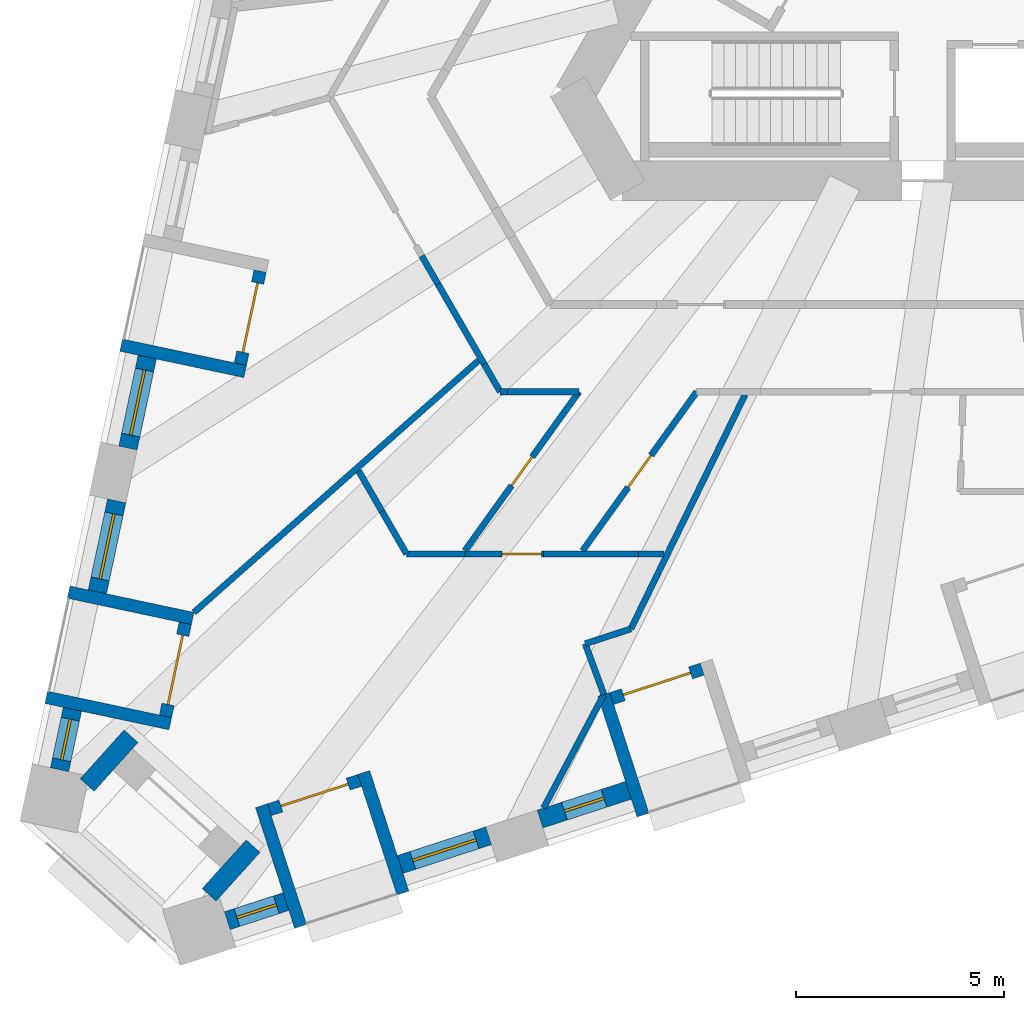
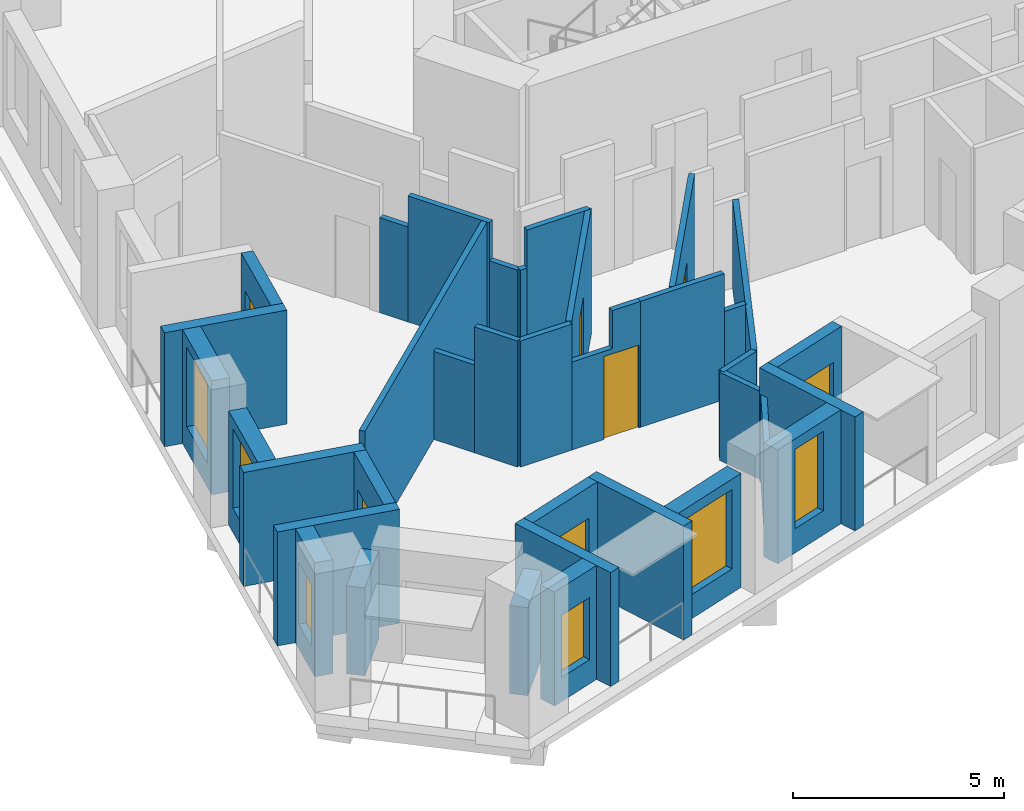
# One storey, part 2 of 13: 36 walls, 7 doors, 6 windows, 13 openings.
"""IFC4 building model written with IfcOpenShell, lengths in metres."""

from ifc_helpers import new_model, si_unit, direction, frame, frame_2d, origin, place, context, subcontext, project, spatial, polyline, rectangle, outline, extrude, material, layer, layer_set, type_object, element, fill, save


model = new_model("IFC4")

# Units and contexts
model_context = context("Model", 3, precision=1e-05, world=origin(), true_north=direction((0.0, 1.0)))
body_context = subcontext(model_context, "Body", "Model", "MODEL_VIEW")
ifc_project = project(units=[si_unit("LENGTHUNIT", "METRE"), si_unit("AREAUNIT", "SQUARE_METRE"), si_unit("VOLUMEUNIT", "CUBIC_METRE"), si_unit("PLANEANGLEUNIT", "RADIAN"), si_unit("MASSUNIT", "GRAM", prefix="KILO")], contexts=[model_context])

# Site, building, storey
site_placement = place(None, origin())
site = spatial("IfcSite", under=ifc_project, at=site_placement, CompositionType="ELEMENT")
building_placement = place(site_placement, origin())
building = spatial("IfcBuilding", under=site, at=building_placement, Name="Tramontana Tower", CompositionType="ELEMENT")
storey_placement = place(building_placement, frame((0.0, 0.0, 104.39990234375)))
storey = spatial("IfcBuildingStorey", under=building, at=storey_placement, Name="L23", CompositionType="ELEMENT", Elevation=104.39990234375)

# Wall, opening, window
ifc_material_1 = material(Name="Precast concrete 60 MPa", Category="concrete")
ifc_layer_1 = layer(ifc_material_1, 0.449951171875)
ifc_layer_set_1 = layer_set([ifc_layer_1], Name="Precast concrete 60 MPa, 450 mm")
wall_type_1 = type_object("IfcWallType", Name="EW1 Stone-faced precast wall 450", PredefinedType="SOLIDWALL", material=ifc_layer_set_1)
wall_1_placement = place(storey_placement, frame((-19.947265625, -10.516357421875, 0.0), z_axis=(0.0, 0.0, 1.0), x_axis=(-0.207941001029, -0.978141370197, 0.0)))
wall_1 = element("IfcWall", 1, at=wall_1_placement, inside=storey, type_object=wall_type_1, Name="External wall L23 face 0 bay 5", PredefinedType="SOLIDWALL", context=body_context, shape_type="SweptSolid", body=[
    extrude(rectangle(XDim=2.236572265625, YDim=0.449951171875, at=frame_2d((1.1181640625, 0.0))), origin(), (0.0, 0.0, 1.0), 3.300048828125),
])
opening_1_placement = place(wall_1_placement, frame((0.318359375, 0.0, 0.699951171875)))
opening_1 = element("IfcOpeningElement", 2, at=opening_1_placement, cuts=wall_1, Name="Opening M1", PredefinedType="OPENING", context=body_context, shape_type="SweptSolid", body=[
    extrude(rectangle(XDim=1.60009765625, YDim=2.300048828125, at=frame_2d((0.800048828125, 1.14990234375))), frame((0.0, 0.23486328125, 0.0), z_axis=(0.0, -1.0, 0.0), x_axis=(1.0, 0.0, 0.0)), (0.0, 0.0, 1.0), 0.469970703125),
])
ifc_material_2 = material(Name="Aluminum frame, double glazing unit", Category="aluminium")
window_type_1 = type_object("IfcWindowType", Name="M1 Window 1.6 x 2.3", PartitioningType="SINGLE_PANEL", PredefinedType="WINDOW", material=ifc_material_2)
window_1_placement = place(opening_1_placement, origin())
window_1 = element("IfcWindow", 3, at=window_1_placement, inside=storey, type_object=window_type_1, Name="Window M1 L23 face 0 module 15", OverallHeight=2.300048828125, OverallWidth=1.60009765625, PartitioningType="SINGLE_PANEL", PredefinedType="WINDOW", context=body_context, shape_type="SweptSolid", body=[
    extrude(rectangle(XDim=1.60009765625, YDim=2.300048828125, at=frame_2d((0.800048828125, 1.14990234375))), frame((0.0, 0.030029296875, 0.0), z_axis=(0.0, -1.0, 0.0), x_axis=(1.0, 0.0, 0.0)), (0.0, 0.0, 1.0), 0.06005859375),
])
fill(opening_1, window_1)

wall_2_placement = place(storey_placement, frame((-20.6826171875, -13.975830078125, 0.0), z_axis=(0.0, 0.0, 1.0), x_axis=(-0.207941001029, -0.978141370197, 0.0)))
wall_2 = element("IfcWall", 4, at=wall_2_placement, inside=storey, type_object=wall_type_1, Name="External wall L23 face 0 bay 6", PredefinedType="SOLIDWALL", context=body_context, shape_type="SweptSolid", body=[
    extrude(rectangle(XDim=2.236572265625, YDim=0.449951171875, at=frame_2d((1.1181640625, 0.0))), origin(), (0.0, 0.0, 1.0), 3.300048828125),
])
opening_2_placement = place(wall_2_placement, frame((0.318359375, 0.0, 0.699951171875)))
opening_2 = element("IfcOpeningElement", 5, at=opening_2_placement, cuts=wall_2, Name="Opening M1", PredefinedType="OPENING", context=body_context, shape_type="SweptSolid", body=[
    extrude(rectangle(XDim=1.60009765625, YDim=2.300048828125, at=frame_2d((0.800048828125, 1.14990234375))), frame((0.0, 0.23486328125, 0.0), z_axis=(0.0, -1.0, 0.0), x_axis=(1.0, 0.0, 0.0)), (0.0, 0.0, 1.0), 0.469970703125),
])
window_2_placement = place(opening_2_placement, origin())
window_2 = element("IfcWindow", 6, at=window_2_placement, inside=storey, type_object=window_type_1, Name="Window M1 L23 face 0 module 16", OverallHeight=2.300048828125, OverallWidth=1.60009765625, PartitioningType="SINGLE_PANEL", PredefinedType="WINDOW", context=body_context, shape_type="SweptSolid", body=[
    extrude(rectangle(XDim=1.60009765625, YDim=2.300048828125, at=frame_2d((0.800048828125, 1.14990234375))), frame((0.0, 0.030029296875, 0.0), z_axis=(0.0, -1.0, 0.0), x_axis=(1.0, 0.0, 0.0)), (0.0, 0.0, 1.0), 0.06005859375),
])
fill(opening_2, window_2)

wall_3_placement = place(storey_placement, frame((-21.747802734375, -18.9873046875, 0.0), z_axis=(0.0, 0.0, 1.0), x_axis=(-0.208037456693, -0.978120859921, 0.0)))
wall_3 = element("IfcWall", 7, at=wall_3_placement, inside=storey, type_object=wall_type_1, Name="External wall L23 face 0 bay 6", PredefinedType="SOLIDWALL", context=body_context, shape_type="SweptSolid", body=[
    extrude(rectangle(XDim=1.48681640625, YDim=0.449951171875, at=frame_2d((0.743408203125, 0.0))), origin(), (0.0, 0.0, 1.0), 3.300048828125),
])
opening_3_placement = place(wall_3_placement, frame((0.243408203125, 0.0, 0.699951171875)))
opening_3 = element("IfcOpeningElement", 8, at=opening_3_placement, cuts=wall_3, Name="Opening N1L", PredefinedType="OPENING", context=body_context, shape_type="SweptSolid", body=[
    extrude(rectangle(XDim=1.0, YDim=1.800048828125, at=frame_2d((0.5, 0.89990234375))), frame((0.0, 0.23486328125, 0.0), z_axis=(0.0, -1.0, 0.0), x_axis=(1.0, 0.0, 0.0)), (0.0, 0.0, 1.0), 0.469970703125),
])
ifc_material_3 = material(Name="Aluminum frame, double glazing unit", Category="aluminium")
window_type_2 = type_object("IfcWindowType", Name="N1L Window 1 x 1.8", PartitioningType="SINGLE_PANEL", PredefinedType="WINDOW", material=ifc_material_3)
window_3_placement = place(opening_3_placement, origin())
window_3 = element("IfcWindow", 9, at=window_3_placement, inside=storey, type_object=window_type_2, Name="Window N1L L23 face 0 module 18", OverallHeight=1.800048828125, OverallWidth=1.0, PartitioningType="SINGLE_PANEL", PredefinedType="WINDOW", context=body_context, shape_type="SweptSolid", body=[
    extrude(rectangle(XDim=1.0, YDim=1.800048828125, at=frame_2d((0.5, 0.89990234375))), frame((0.0, 0.030029296875, 0.0), z_axis=(0.0, -1.0, 0.0), x_axis=(1.0, 0.0, 0.0)), (0.0, 0.0, 1.0), 0.06005859375),
])
fill(opening_3, window_3)

wall_4_placement = place(storey_placement, frame((-18.02392578125, -24.072998046875, 0.0), z_axis=(0.0, 0.0, 1.0), x_axis=(0.951037689269, 0.309074931999, 0.0)))
wall_4 = element("IfcWall", 10, at=wall_4_placement, inside=storey, type_object=wall_type_1, Name="External wall L23 face 1 bay 1", PredefinedType="SOLIDWALL", context=body_context, shape_type="SweptSolid", body=[
    extrude(rectangle(XDim=1.486572265625, YDim=0.449951171875, at=frame_2d((0.7431640625, 0.0))), origin(), (0.0, 0.0, 1.0), 3.300048828125),
])
opening_4_placement = place(wall_4_placement, frame((0.243408203125, 0.0, 0.699951171875)))
opening_4 = element("IfcOpeningElement", 11, at=opening_4_placement, cuts=wall_4, Name="Opening N1L", PredefinedType="OPENING", context=body_context, shape_type="SweptSolid", body=[
    extrude(rectangle(XDim=1.0, YDim=1.800048828125, at=frame_2d((0.5, 0.89990234375))), frame((0.0, 0.23486328125, 0.0), z_axis=(0.0, -1.0, 0.0), x_axis=(1.0, 0.0, 0.0)), (0.0, 0.0, 1.0), 0.469970703125),
])
window_4_placement = place(opening_4_placement, origin())
window_4 = element("IfcWindow", 12, at=window_4_placement, inside=storey, type_object=window_type_2, Name="Window N1L L23 face 1 module 1", OverallHeight=1.800048828125, OverallWidth=1.0, PartitioningType="SINGLE_PANEL", PredefinedType="WINDOW", context=body_context, shape_type="SweptSolid", body=[
    extrude(rectangle(XDim=1.0, YDim=1.800048828125, at=frame_2d((0.5, 0.89990234375))), frame((0.0, 0.030029296875, 0.0), z_axis=(0.0, -1.0, 0.0), x_axis=(1.0, 0.0, 0.0)), (0.0, 0.0, 1.0), 0.06005859375),
])
fill(opening_4, window_4)

wall_5_placement = place(storey_placement, frame((-13.864501953125, -22.721435546875, 0.0), z_axis=(0.0, 0.0, 1.0), x_axis=(0.951057328329, 0.30901449518, 0.0)))
wall_5 = element("IfcWall", 13, at=wall_5_placement, inside=storey, type_object=wall_type_1, Name="External wall L23 face 1 bay 1", PredefinedType="SOLIDWALL", context=body_context, shape_type="SweptSolid", body=[
    extrude(rectangle(XDim=2.236572265625, YDim=0.449951171875, at=frame_2d((1.1181640625, 0.0))), origin(), (0.0, 0.0, 1.0), 3.300048828125),
])
opening_5_placement = place(wall_5_placement, frame((0.318359375, 0.0, 0.699951171875)))
opening_5 = element("IfcOpeningElement", 14, at=opening_5_placement, cuts=wall_5, Name="Opening M1", PredefinedType="OPENING", context=body_context, shape_type="SweptSolid", body=[
    extrude(rectangle(XDim=1.60009765625, YDim=2.300048828125, at=frame_2d((0.800048828125, 1.14990234375))), frame((0.0, 0.23486328125, 0.0), z_axis=(0.0, -1.0, 0.0), x_axis=(1.0, 0.0, 0.0)), (0.0, 0.0, 1.0), 0.469970703125),
])
window_5_placement = place(opening_5_placement, origin())
window_5 = element("IfcWindow", 15, at=window_5_placement, inside=storey, type_object=window_type_1, Name="Window M1 L23 face 1 module 3", OverallHeight=2.300048828125, OverallWidth=1.60009765625, PartitioningType="SINGLE_PANEL", PredefinedType="WINDOW", context=body_context, shape_type="SweptSolid", body=[
    extrude(rectangle(XDim=1.60009765625, YDim=2.300048828125, at=frame_2d((0.800048828125, 1.14990234375))), frame((0.0, 0.030029296875, 0.0), z_axis=(0.0, -1.0, 0.0), x_axis=(1.0, 0.0, 0.0)), (0.0, 0.0, 1.0), 0.06005859375),
])
fill(opening_5, window_5)

wall_6_placement = place(storey_placement, frame((-10.5009765625, -21.62841796875, 0.0), z_axis=(0.0, 0.0, 1.0), x_axis=(0.951067749801, 0.30898241906, 0.0)))
wall_6 = element("IfcWall", 16, at=wall_6_placement, inside=storey, type_object=wall_type_1, Name="External wall L23 face 1 bay 2", PredefinedType="SOLIDWALL", context=body_context, shape_type="SweptSolid", body=[
    extrude(rectangle(XDim=2.23681640625, YDim=0.449951171875, at=frame_2d((1.118408203125, 0.0))), origin(), (0.0, 0.0, 1.0), 3.300048828125),
])
opening_6_placement = place(wall_6_placement, frame((0.618408203125, 0.0, 0.699951171875)))
opening_6 = element("IfcOpeningElement", 17, at=opening_6_placement, cuts=wall_6, Name="Opening N1", PredefinedType="OPENING", context=body_context, shape_type="SweptSolid", body=[
    extrude(rectangle(XDim=1.0, YDim=2.300048828125, at=frame_2d((0.5, 1.14990234375))), frame((0.0, 0.23486328125, 0.0), z_axis=(0.0, -1.0, 0.0), x_axis=(1.0, 0.0, 0.0)), (0.0, 0.0, 1.0), 0.469970703125),
])
ifc_material_4 = material(Name="Aluminum frame, double glazing unit", Category="aluminium")
window_type_3 = type_object("IfcWindowType", Name="N1 Window 1 x 2.3", PartitioningType="SINGLE_PANEL", PredefinedType="WINDOW", material=ifc_material_4)
window_6_placement = place(opening_6_placement, origin())
window_6 = element("IfcWindow", 18, at=window_6_placement, inside=storey, type_object=window_type_3, Name="Window N1 L23 face 1 module 4", OverallHeight=2.300048828125, OverallWidth=1.0, PartitioningType="SINGLE_PANEL", PredefinedType="WINDOW", context=body_context, shape_type="SweptSolid", body=[
    extrude(rectangle(XDim=1.0, YDim=2.300048828125, at=frame_2d((0.5, 1.14990234375))), frame((0.0, 0.030029296875, 0.0), z_axis=(0.0, -1.0, 0.0), x_axis=(1.0, 0.0, 0.0)), (0.0, 0.0, 1.0), 0.06005859375),
])
fill(opening_6, window_6)

# Walls
for number, where, z_axis, x_axis, name in (
    (19, (-18.45849609375, -23.451904296875, 0.0), (0.0, 0.0, 1.0), (0.669109923521, 0.743163447867, 0.0), "Corner loggia side wall L23 K21l"),
    (20, (-21.393798828125, -20.808837890625, 0.0), (0.0, 0.0, 1.0), (0.669109923521, 0.743163447867, 0.0), "Corner loggia side wall L23 K21r"),
):
    element("IfcWall", number, at=place(storey_placement, frame(where, z_axis=z_axis, x_axis=x_axis)), inside=storey, type_object=wall_type_1, Name=name, PredefinedType="SOLIDWALL", context=body_context, shape_type="SweptSolid", body=[
        extrude(rectangle(XDim=1.5791015625, YDim=0.449951171875, at=frame_2d((0.78955078125, 0.0))), origin(), (0.0, 0.0, 1.0), 2.550048828125),
    ])

# Wall, opening, door
ifc_material_5 = material(Name="Precast concrete 60 MPa", Category="concrete")
ifc_layer_2 = layer(ifc_material_5, 0.300048828125)
ifc_layer_set_2 = layer_set([ifc_layer_2], Name="LW1 Stone-faced loggia wall 300")
wall_type_2 = type_object("IfcWallType", Name="LW1 Stone-faced loggia wall 300", PredefinedType="SOLIDWALL", material=ifc_layer_set_2)
wall_7_placement = place(storey_placement, frame((-17.233154296875, -8.44873046875, 0.0), z_axis=(0.0, 0.0, 1.0), x_axis=(-0.207866417042, -0.978157222877, 0.0)))
wall_7 = element("IfcWall", 21, at=wall_7_placement, inside=storey, type_object=wall_type_2, Name="Loggia wall L23 G2S0.13", PredefinedType="SOLIDWALL", context=body_context, shape_type="SweptSolid", body=[
    extrude(rectangle(XDim=2.286865234375, YDim=0.300048828125, at=frame_2d((1.1435546875, 0.0))), origin(), (0.0, 0.0, 1.0), 3.300048828125),
])
opening_7_placement = place(wall_7_placement, frame((0.29345703125, 0.0, 0.0)))
opening_7 = element("IfcOpeningElement", 22, at=opening_7_placement, cuts=wall_7, Name="Opening BD-2S0-13", PredefinedType="OPENING", context=body_context, shape_type="SweptSolid", body=[
    extrude(rectangle(XDim=1.699951171875, YDim=2.39990234375, at=frame_2d((0.85009765625, 1.199951171875))), frame((0.0, 0.159912109375, 0.0), z_axis=(0.0, -1.0, 0.0), x_axis=(1.0, 0.0, 0.0)), (0.0, 0.0, 1.0), 0.320068359375),
])
ifc_material_6 = material(Name="Aluminum frame, double glazing unit", Category="aluminium")
door_type_1 = type_object("IfcDoorType", Name="BD1 Sliding door 1.7 x 2.4", OperationType="SLIDING_TO_LEFT", PredefinedType="DOOR", material=ifc_material_6)
door_1_placement = place(opening_7_placement, origin())
door_1 = element("IfcDoor", 23, at=door_1_placement, inside=storey, type_object=door_type_1, Name="Loggia door L23 G2S0.13", OperationType="SLIDING_TO_LEFT", OverallHeight=2.39990234375, OverallWidth=1.699951171875, PredefinedType="DOOR", context=body_context, shape_type="SweptSolid", body=[
    extrude(rectangle(XDim=1.699951171875, YDim=2.39990234375, at=frame_2d((0.85009765625, 1.199951171875))), frame((0.0, 0.02490234375, 0.0), z_axis=(0.0, -1.0, 0.0), x_axis=(1.0, 0.0, 0.0)), (0.0, 0.0, 1.0), 0.050048828125),
])
fill(opening_7, door_1)

# Wall
wall_8_placement = place(storey_placement, frame((-20.576416015625, -10.229248046875, 0.0), z_axis=(0.0, 0.0, 1.0), x_axis=(0.978154782045, -0.207877902534, 0.0)))
element("IfcWall", 24, at=wall_8_placement, inside=storey, type_object=wall_type_2, Name="Loggia return L23 G2S0.13b", PredefinedType="SOLIDWALL", context=body_context, shape_type="SweptSolid", body=[
    extrude(rectangle(XDim=3.050048828125, YDim=0.300048828125, at=frame_2d((1.52490234375, 0.0))), origin(), (0.0, 0.0, 1.0), 3.300048828125),
])

# Wall, opening, door
wall_9_placement = place(storey_placement, frame((-19.03369140625, -16.919677734375, 0.0), z_axis=(0.0, 0.0, 1.0), x_axis=(-0.207968563016, -0.978135510447, 0.0)))
wall_9 = element("IfcWall", 25, at=wall_9_placement, inside=storey, type_object=wall_type_2, Name="Loggia wall L23 G2S0.16", PredefinedType="SOLIDWALL", context=body_context, shape_type="SweptSolid", body=[
    extrude(rectangle(XDim=2.286865234375, YDim=0.300048828125, at=frame_2d((1.1435546875, 0.0))), origin(), (0.0, 0.0, 1.0), 3.300048828125),
])
opening_8_placement = place(wall_9_placement, frame((0.29345703125, 0.0, 0.0)))
opening_8 = element("IfcOpeningElement", 26, at=opening_8_placement, cuts=wall_9, Name="Opening BD-2S0-16", PredefinedType="OPENING", context=body_context, shape_type="SweptSolid", body=[
    extrude(rectangle(XDim=1.699951171875, YDim=2.39990234375, at=frame_2d((0.85009765625, 1.199951171875))), frame((0.0, 0.159912109375, 0.0), z_axis=(0.0, -1.0, 0.0), x_axis=(1.0, 0.0, 0.0)), (0.0, 0.0, 1.0), 0.320068359375),
])
door_2_placement = place(opening_8_placement, origin())
door_2 = element("IfcDoor", 27, at=door_2_placement, inside=storey, type_object=door_type_1, Name="Loggia door L23 G2S0.16", OperationType="SLIDING_TO_LEFT", OverallHeight=2.39990234375, OverallWidth=1.699951171875, PredefinedType="DOOR", context=body_context, shape_type="SweptSolid", body=[
    extrude(rectangle(XDim=1.699951171875, YDim=2.39990234375, at=frame_2d((0.85009765625, 1.199951171875))), frame((0.0, 0.02490234375, 0.0), z_axis=(0.0, -1.0, 0.0), x_axis=(1.0, 0.0, 0.0)), (0.0, 0.0, 1.0), 0.050048828125),
])
fill(opening_8, door_2)

# Walls
for number, where, z_axis, x_axis, name in (
    (28, (-21.839111328125, -16.169921875, 0.0), (0.0, 0.0, 1.0), (0.978138503145, -0.207954487003, 0.0), "Loggia return L23 G2S0.16a"),
    (29, (-22.376953125, -18.7001953125, 0.0), (0.0, 0.0, 1.0), (0.978154782045, -0.207877902534, 0.0), "Loggia return L23 G2S0.16b"),
):
    element("IfcWall", number, at=place(storey_placement, frame(where, z_axis=z_axis, x_axis=x_axis)), inside=storey, type_object=wall_type_2, Name=name, PredefinedType="SOLIDWALL", context=body_context, shape_type="SweptSolid", body=[
        extrude(rectangle(XDim=3.050048828125, YDim=0.300048828125, at=frame_2d((1.52490234375, 0.0))), origin(), (0.0, 0.0, 1.0), 3.300048828125),
    ])

# Wall, opening, door
wall_10_placement = place(storey_placement, frame((-17.01220703125, -21.40478515625, 0.0), z_axis=(0.0, 0.0, 1.0), x_axis=(0.95103720697, 0.309076416051, 0.0)))
wall_10 = element("IfcWall", 30, at=wall_10_placement, inside=storey, type_object=wall_type_2, Name="Loggia wall L23 G2S1.1", PredefinedType="SOLIDWALL", context=body_context, shape_type="SweptSolid", body=[
    extrude(rectangle(XDim=2.286865234375, YDim=0.300048828125, at=frame_2d((1.1435546875, 0.0))), origin(), (0.0, 0.0, 1.0), 3.300048828125),
])
opening_9_placement = place(wall_10_placement, frame((0.29345703125, 0.0, 0.0)))
opening_9 = element("IfcOpeningElement", 31, at=opening_9_placement, cuts=wall_10, Name="Opening BD-2S1-01", PredefinedType="OPENING", context=body_context, shape_type="SweptSolid", body=[
    extrude(rectangle(XDim=1.699951171875, YDim=2.39990234375, at=frame_2d((0.85009765625, 1.199951171875))), frame((0.0, 0.159912109375, 0.0), z_axis=(0.0, -1.0, 0.0), x_axis=(1.0, 0.0, 0.0)), (0.0, 0.0, 1.0), 0.320068359375),
])
door_3_placement = place(opening_9_placement, origin())
door_3 = element("IfcDoor", 32, at=door_3_placement, inside=storey, type_object=door_type_1, Name="Loggia door L23 G2S1.1", OperationType="SLIDING_TO_LEFT", OverallHeight=2.39990234375, OverallWidth=1.699951171875, PredefinedType="DOOR", context=body_context, shape_type="SweptSolid", body=[
    extrude(rectangle(XDim=1.699951171875, YDim=2.39990234375, at=frame_2d((0.85009765625, 1.199951171875))), frame((0.0, 0.02490234375, 0.0), z_axis=(0.0, -1.0, 0.0), x_axis=(1.0, 0.0, 0.0)), (0.0, 0.0, 1.0), 0.050048828125),
])
fill(opening_9, door_3)

# Walls
for number, where, z_axis, x_axis, name in (
    (33, (-16.2587890625, -24.209228515625, 0.0), (0.0, 0.0, 1.0), (-0.308966615996, 0.951072883748, 0.0), "Loggia return L23 G2S1.1a"),
    (34, (-13.798583984375, -23.40966796875, 0.0), (0.0, 0.0, 1.0), (-0.309062542235, 0.951041715693, 0.0), "Loggia return L23 G2S1.1b"),
):
    element("IfcWall", number, at=place(storey_placement, frame(where, z_axis=z_axis, x_axis=x_axis)), inside=storey, type_object=wall_type_2, Name=name, PredefinedType="SOLIDWALL", context=body_context, shape_type="SweptSolid", body=[
        extrude(rectangle(XDim=3.050048828125, YDim=0.300048828125, at=frame_2d((1.52490234375, 0.0))), origin(), (0.0, 0.0, 1.0), 3.300048828125),
    ])

# Wall, opening, door
wall_11_placement = place(storey_placement, frame((-8.77587890625, -18.728515625, 0.0), z_axis=(0.0, 0.0, 1.0), x_axis=(0.951068585107, 0.308979847923, 0.0)))
wall_11 = element("IfcWall", 35, at=wall_11_placement, inside=storey, type_object=wall_type_2, Name="Loggia wall L23 G2S1.4", PredefinedType="SOLIDWALL", context=body_context, shape_type="SweptSolid", body=[
    extrude(rectangle(XDim=2.28662109375, YDim=0.300048828125, at=frame_2d((1.143310546875, 0.0))), origin(), (0.0, 0.0, 1.0), 3.300048828125),
])
opening_10_placement = place(wall_11_placement, frame((0.29345703125, 0.0, 0.0)))
opening_10 = element("IfcOpeningElement", 36, at=opening_10_placement, cuts=wall_11, Name="Opening BD-2S1-04", PredefinedType="OPENING", context=body_context, shape_type="SweptSolid", body=[
    extrude(rectangle(XDim=1.699951171875, YDim=2.39990234375, at=frame_2d((0.85009765625, 1.199951171875))), frame((0.0, 0.159912109375, 0.0), z_axis=(0.0, -1.0, 0.0), x_axis=(1.0, 0.0, 0.0)), (0.0, 0.0, 1.0), 0.320068359375),
])
door_4_placement = place(opening_10_placement, origin())
door_4 = element("IfcDoor", 37, at=door_4_placement, inside=storey, type_object=door_type_1, Name="Loggia door L23 G2S1.4", OperationType="SLIDING_TO_LEFT", OverallHeight=2.39990234375, OverallWidth=1.699951171875, PredefinedType="DOOR", context=body_context, shape_type="SweptSolid", body=[
    extrude(rectangle(XDim=1.699951171875, YDim=2.39990234375, at=frame_2d((0.85009765625, 1.199951171875))), frame((0.0, 0.02490234375, 0.0), z_axis=(0.0, -1.0, 0.0), x_axis=(1.0, 0.0, 0.0)), (0.0, 0.0, 1.0), 0.050048828125),
])
fill(opening_10, door_4)

# Walls
wall_12_placement = place(storey_placement, frame((-8.0224609375, -21.532958984375, 0.0), z_axis=(0.0, 0.0, 1.0), x_axis=(-0.308990138358, 0.951065241925, 0.0)))
element("IfcWall", 38, at=wall_12_placement, inside=storey, type_object=wall_type_2, Name="Loggia return L23 G2S1.4a", PredefinedType="SOLIDWALL", context=body_context, shape_type="SweptSolid", body=[
    extrude(rectangle(XDim=3.0498046875, YDim=0.300048828125, at=frame_2d((1.52490234375, 0.0))), origin(), (0.0, 0.0, 1.0), 3.300048828125),
])
ifc_material_7 = material(Name="Gypsum board partition")
ifc_layer_3 = layer(ifc_material_7, 0.14990234375)
ifc_layer_set_3 = layer_set([ifc_layer_3], Name="PARTITION 150")
wall_type_3 = type_object("IfcWallType", Name="PARTITION 150", PredefinedType="PARTITIONING", material=ifc_layer_set_3)
wall_13_placement = place(storey_placement, frame((-18.82470703125, -16.657470703125, 0.0), z_axis=(0.0, 0.0, 1.0), x_axis=(0.748903254117, 0.66267934627, 0.0)))
element("IfcWall", 39, at=wall_13_placement, inside=storey, type_object=wall_type_3, Name="Wall v21-pw00", PredefinedType="PARTITIONING", context=body_context, shape_type="SweptSolid", body=[
    extrude(rectangle(XDim=9.139892578125, YDim=0.14990234375, at=frame_2d((4.56982421875, 0.0))), origin(), (0.0, 0.0, 1.0), 3.650146484375),
])
wall_14_placement = place(storey_placement, frame((-13.712158203125, -15.25, 0.0), z_axis=(0.0, 0.0, 1.0), x_axis=(-0.499907924584, 0.866078557025, 0.0)))
element("IfcWall", 40, at=wall_14_placement, inside=storey, type_object=wall_type_3, Name="Wall v21-pw05-0", PredefinedType="PARTITIONING", context=body_context, shape_type="SweptSolid", body=[
    extrude(rectangle(XDim=1.177490234375, YDim=0.14990234375, at=frame_2d((0.5888671875, 0.0))), origin(), (0.0, 0.0, 1.0), 3.650146484375),
])
wall_15_placement = place(storey_placement, frame((-14.30078125, -14.230224609375, 0.0), z_axis=(0.0, 0.0, 1.0), x_axis=(-0.500097243556, 0.865969252911, 0.0)))
element("IfcWall", 41, at=wall_15_placement, inside=storey, type_object=wall_type_3, Name="Wall v21-pw05-1", PredefinedType="PARTITIONING", context=body_context, shape_type="SweptSolid", body=[
    extrude(rectangle(XDim=1.127685546875, YDim=0.14990234375, at=frame_2d((0.56396484375, 0.0))), origin(), (0.0, 0.0, 1.0), 2.550048828125),
])

# Wall, opening, door
wall_16_placement = place(storey_placement, frame((-12.30908203125, -15.175048828125, 0.0), z_axis=(0.0, 0.0, 1.0), x_axis=(0.583169058274, 0.812350816749, 0.0)))
wall_16 = element("IfcWall", 42, at=wall_16_placement, inside=storey, type_object=wall_type_3, Name="Wall v21-pw06", PredefinedType="PARTITIONING", context=body_context, shape_type="SweptSolid", body=[
    extrude(rectangle(XDim=4.70849609375, YDim=0.14990234375, at=frame_2d((2.354248046875, 0.0))), origin(), (0.0, 0.0, 1.0), 3.650146484375),
])
opening_11_placement = place(wall_16_placement, frame((1.92919921875, 0.0, 0.0)))
opening_11 = element("IfcOpeningElement", 43, at=opening_11_placement, cuts=wall_16, Name="Opening B2B-11", PredefinedType="OPENING", context=body_context, shape_type="SweptSolid", body=[
    extrude(rectangle(XDim=0.85009765625, YDim=2.39990234375, at=frame_2d((0.425048828125, 1.199951171875))), frame((0.0, 0.0849609375, 0.0), z_axis=(0.0, -1.0, 0.0), x_axis=(1.0, 0.0, 0.0)), (0.0, 0.0, 1.0), 0.169921875),
])
ifc_material_8 = material(Name="Painted timber", Category="wood")
door_type_2 = type_object("IfcDoorType", Name="DOOR BATH 850", OperationType="SINGLE_SWING_LEFT", PredefinedType="DOOR", material=ifc_material_8)
door_5_placement = place(opening_11_placement, origin())
door_5 = element("IfcDoor", 44, at=door_5_placement, inside=storey, type_object=door_type_2, Name="Door B2B-11", OperationType="SINGLE_SWING_LEFT", OverallHeight=2.39990234375, OverallWidth=0.85009765625, PredefinedType="DOOR", context=body_context, shape_type="SweptSolid", body=[
    extrude(rectangle(XDim=0.85009765625, YDim=2.39990234375, at=frame_2d((0.425048828125, 1.199951171875))), frame((0.0, 0.02490234375, 0.0), z_axis=(0.0, -1.0, 0.0), x_axis=(1.0, 0.0, 0.0)), (0.0, 0.0, 1.0), 0.050048828125),
])
fill(opening_11, door_5)

# Walls
wall_17_placement = place(storey_placement, frame((-11.46044921875, -11.35009765625, 0.0), z_axis=(0.0, 0.0, 1.0), x_axis=(-0.49974986996, 0.866169768276, 0.0)))
element("IfcWall", 45, at=wall_17_placement, inside=storey, type_object=wall_type_3, Name="Wall v21-pw12-0", PredefinedType="PARTITIONING", context=body_context, shape_type="SweptSolid", body=[
    extrude(rectangle(XDim=0.77099609375, YDim=0.14990234375, at=frame_2d((0.385498046875, 0.0))), origin(), (0.0, 0.0, 1.0), 2.550048828125),
])
wall_18_placement = place(storey_placement, frame((-11.845703125, -10.682373046875, 0.0), z_axis=(0.0, 0.0, 1.0), x_axis=(-0.500067425712, 0.865986472032, 0.0)))
element("IfcWall", 46, at=wall_18_placement, inside=storey, type_object=wall_type_3, Name="Wall v21-pw12-1", PredefinedType="PARTITIONING", context=body_context, shape_type="SweptSolid", body=[
    extrude(rectangle(XDim=2.225830078125, YDim=0.14990234375, at=frame_2d((1.11279296875, 0.0))), origin(), (0.0, 0.0, 1.0), 3.650146484375),
])
wall_19_placement = place(storey_placement, frame((-12.958740234375, -8.7548828125, 0.0), z_axis=(0.0, 0.0, 1.0), x_axis=(-0.500031167255, 0.866007408613, 0.0)))
element("IfcWall", 47, at=wall_19_placement, inside=storey, type_object=wall_type_3, Name="Wall v21-pw12-2", PredefinedType="PARTITIONING", context=body_context, shape_type="SweptSolid", body=[
    extrude(rectangle(XDim=0.77587890625, YDim=0.14990234375, at=frame_2d((0.387939453125, 0.0))), origin(), (0.0, 0.0, 1.0), 2.75),
])
wall_20_placement = place(storey_placement, frame((-9.563232421875, -11.35009765625, 0.0), z_axis=(0.0, 0.0, 1.0), x_axis=(-1.0, 0.0, 0.0)))
element("IfcWall", 48, at=wall_20_placement, inside=storey, type_object=wall_type_3, Name="Wall v21-pw16-0", PredefinedType="PARTITIONING", context=body_context, shape_type="SweptSolid", body=[
    extrude(rectangle(XDim=1.71484375, YDim=0.14990234375, at=frame_2d((0.857421875, 0.0))), origin(), (0.0, 0.0, 1.0), 3.650146484375),
])
wall_21_placement = place(storey_placement, frame((-11.278076171875, -11.35009765625, 0.0), z_axis=(0.0, 0.0, 1.0), x_axis=(-1.0, 0.0, 0.0)))
element("IfcWall", 49, at=wall_21_placement, inside=storey, type_object=wall_type_3, Name="Wall v21-pw16-1", PredefinedType="PARTITIONING", context=body_context, shape_type="SweptSolid", body=[
    extrude(rectangle(XDim=0.182373046875, YDim=0.14990234375, at=frame_2d((0.09130859375, 0.0))), origin(), (0.0, 0.0, 1.0), 2.550048828125),
])
wall_22_placement = place(storey_placement, frame((-9.413818359375, -17.4130859375, 0.0), z_axis=(0.0, 0.0, 1.0), x_axis=(0.345557322038, -0.938397643425, 0.0)))
element("IfcWall", 50, at=wall_22_placement, inside=storey, type_object=wall_type_3, Name="Wall v21-pw19-0", PredefinedType="PARTITIONING", context=body_context, shape_type="SweptSolid", body=[
    extrude(rectangle(XDim=1.29931640625, YDim=0.14990234375, at=frame_2d((0.649658203125, 0.0))), origin(), (0.0, 0.0, 1.0), 2.550048828125),
])
wall_23_placement = place(storey_placement, frame((-8.96484375, -18.63232421875, 0.0), z_axis=(0.0, 0.0, 1.0), x_axis=(-0.469355189183, -0.883009459965, 0.0)))
element("IfcWall", 51, at=wall_23_placement, inside=storey, type_object=wall_type_3, Name="Wall v21-pw20-0", PredefinedType="PARTITIONING", context=body_context, shape_type="SweptSolid", body=[
    extrude(rectangle(XDim=3.094482421875, YDim=0.14990234375, at=frame_2d((1.54736328125, 0.0))), origin(), (0.0, 0.0, 1.0), 2.550048828125),
])
wall_24_placement = place(storey_placement, frame((-8.3154296875, -17.05419921875, 0.0), z_axis=(0.0, 0.0, 1.0), x_axis=(-0.951068277926, -0.308980793452, 0.0)))
element("IfcWall", 52, at=wall_24_placement, inside=storey, type_object=wall_type_3, Name="Wall v21-pw21-0", PredefinedType="PARTITIONING", context=body_context, shape_type="SweptSolid", body=[
    extrude(rectangle(XDim=1.153564453125, YDim=0.14990234375, at=frame_2d((0.57666015625, 0.0))), origin(), (0.0, 0.0, 1.0), 2.550048828125),
])
wall_25_placement = place(storey_placement, frame((-7.519287109375, -15.25, 0.0), z_axis=(0.0, 0.0, 1.0), x_axis=(-1.0, 0.0, 0.0)))
element("IfcWall", 53, at=wall_25_placement, inside=storey, type_object=wall_type_3, Name="Wall v21-pw22-0", PredefinedType="PARTITIONING", context=body_context, shape_type="SweptSolid", body=[
    extrude(rectangle(XDim=0.6142578125, YDim=0.14990234375, at=frame_2d((0.30712890625, 0.0))), origin(), (0.0, 0.0, 1.0), 2.550048828125),
])
wall_26_placement = place(storey_placement, frame((-8.133544921875, -15.25, 0.0), z_axis=(0.0, 0.0, 1.0), x_axis=(-1.0, 0.0, 0.0)))
element("IfcWall", 54, at=wall_26_placement, inside=storey, type_object=wall_type_3, Name="Wall v21-pw22-1", PredefinedType="PARTITIONING", context=body_context, shape_type="SweptSolid", body=[
    extrude(rectangle(XDim=2.28759765625, YDim=0.14990234375, at=frame_2d((1.143798828125, 0.0))), origin(), (0.0, 0.0, 1.0), 3.650146484375),
])

# Wall, opening, door
wall_27_placement = place(storey_placement, frame((-10.421142578125, -15.25, 0.0), z_axis=(0.0, 0.0, 1.0), x_axis=(-1.0, 0.0, 0.0)))
wall_27 = element("IfcWall", 55, at=wall_27_placement, inside=storey, type_object=wall_type_3, Name="Wall v21-pw22-2", PredefinedType="PARTITIONING", context=body_context, shape_type="SweptSolid", body=[
    extrude(outline(polyline([(0.0, 0.0), (1.8818359375, 0.0), (1.8818359375, 2.550048828125), (0.777099609375, 2.550048828125), (0.777099609375, 3.650146484375), (0.0, 3.650146484375), (0.0, 0.0)])), frame((0.0, 0.074951171875, 0.0), z_axis=(0.0, -1.0, 0.0), x_axis=(1.0, 0.0, 0.0)), (0.0, 0.0, 1.0), 0.14990234375),
])
opening_12_placement = place(wall_27_placement, frame((0.050048828125, 0.0, 0.0)))
opening_12 = element("IfcOpeningElement", 56, at=opening_12_placement, cuts=wall_27, Name="Opening B2B-12", PredefinedType="OPENING", context=body_context, shape_type="SweptSolid", body=[
    extrude(rectangle(XDim=0.949951171875, YDim=2.39990234375, at=frame_2d((0.47509765625, 1.199951171875))), frame((0.0, 0.0849609375, 0.0), z_axis=(0.0, -1.0, 0.0), x_axis=(1.0, 0.0, 0.0)), (0.0, 0.0, 1.0), 0.169921875),
])
ifc_material_9 = material(Name="Painted timber", Category="wood")
door_type_3 = type_object("IfcDoorType", Name="DOOR ROOM 950", OperationType="SINGLE_SWING_LEFT", PredefinedType="DOOR", material=ifc_material_9)
door_6_placement = place(opening_12_placement, origin())
door_6 = element("IfcDoor", 57, at=door_6_placement, inside=storey, type_object=door_type_3, Name="Door B2B-12", OperationType="SINGLE_SWING_RIGHT", OverallHeight=2.39990234375, OverallWidth=0.949951171875, PredefinedType="DOOR", context=body_context, shape_type="SweptSolid", body=[
    extrude(rectangle(XDim=0.949951171875, YDim=2.39990234375, at=frame_2d((0.47509765625, 1.199951171875))), frame((0.0, 0.02490234375, 0.0), z_axis=(0.0, -1.0, 0.0), x_axis=(1.0, 0.0, 0.0)), (0.0, 0.0, 1.0), 0.050048828125),
])
fill(opening_12, door_6)

# Wall
wall_28_placement = place(storey_placement, frame((-12.302978515625, -15.25, 0.0), z_axis=(0.0, 0.0, 1.0), x_axis=(-1.0, 0.0, 0.0)))
element("IfcWall", 58, at=wall_28_placement, inside=storey, type_object=wall_type_3, Name="Wall v21-pw22-3", PredefinedType="PARTITIONING", context=body_context, shape_type="SweptSolid", body=[
    extrude(rectangle(XDim=1.4091796875, YDim=0.14990234375, at=frame_2d((0.70458984375, 0.0))), origin(), (0.0, 0.0, 1.0), 3.650146484375),
])

# Wall, opening, door
wall_29_placement = place(storey_placement, frame((-6.73193359375, -11.35009765625, 0.0), z_axis=(0.0, 0.0, 1.0), x_axis=(-0.583169058274, -0.812350816749, 0.0)))
wall_29 = element("IfcWall", 59, at=wall_29_placement, inside=storey, type_object=wall_type_3, Name="Wall v21-pw25", PredefinedType="PARTITIONING", context=body_context, shape_type="SweptSolid", body=[
    extrude(rectangle(XDim=4.70849609375, YDim=0.14990234375, at=frame_2d((2.354248046875, 0.0))), origin(), (0.0, 0.0, 1.0), 3.650146484375),
])
opening_13_placement = place(wall_29_placement, frame((1.879150390625, 0.0, 0.0)))
opening_13 = element("IfcOpeningElement", 60, at=opening_13_placement, cuts=wall_29, Name="Opening B2B-10", PredefinedType="OPENING", context=body_context, shape_type="SweptSolid", body=[
    extrude(rectangle(XDim=0.949951171875, YDim=2.39990234375, at=frame_2d((0.47509765625, 1.199951171875))), frame((0.0, 0.0849609375, 0.0), z_axis=(0.0, -1.0, 0.0), x_axis=(1.0, 0.0, 0.0)), (0.0, 0.0, 1.0), 0.169921875),
])
door_7_placement = place(opening_13_placement, origin())
door_7 = element("IfcDoor", 61, at=door_7_placement, inside=storey, type_object=door_type_3, Name="Door B2B-10", OperationType="SINGLE_SWING_RIGHT", OverallHeight=2.39990234375, OverallWidth=0.949951171875, PredefinedType="DOOR", context=body_context, shape_type="SweptSolid", body=[
    extrude(rectangle(XDim=0.949951171875, YDim=2.39990234375, at=frame_2d((0.47509765625, 1.199951171875))), frame((0.0, 0.02490234375, 0.0), z_axis=(0.0, -1.0, 0.0), x_axis=(1.0, 0.0, 0.0)), (0.0, 0.0, 1.0), 0.050048828125),
])
fill(opening_13, door_7)

# Wall
wall_30_placement = place(storey_placement, frame((-5.57080078125, -11.425048828125, 0.0), z_axis=(0.0, 0.0, 1.0), x_axis=(-0.438271544149, -0.898842618921, 0.0)))
element("IfcWall", 62, at=wall_30_placement, inside=storey, type_object=wall_type_3, Name="Wall v21-pw28-0", PredefinedType="PARTITIONING", context=body_context, shape_type="SweptSolid", body=[
    extrude(rectangle(XDim=6.262451171875, YDim=0.14990234375, at=frame_2d((3.13134765625, 0.0))), origin(), (0.0, 0.0, 1.0), 2.550048828125),
])

save(model, "model.ifc")
